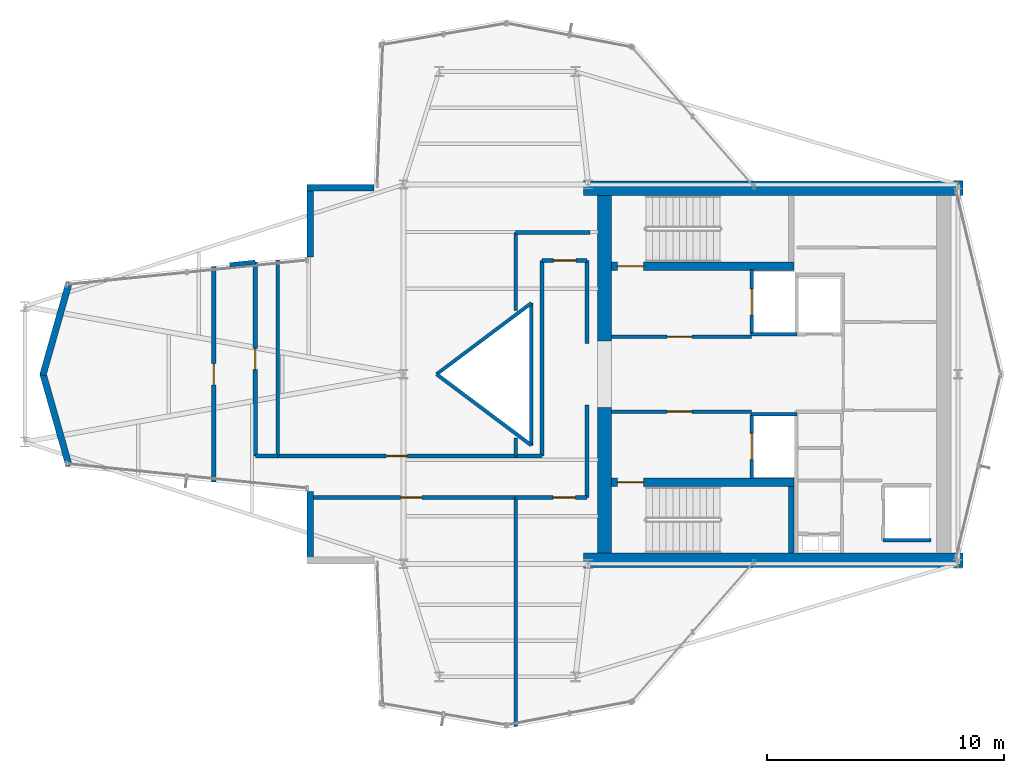
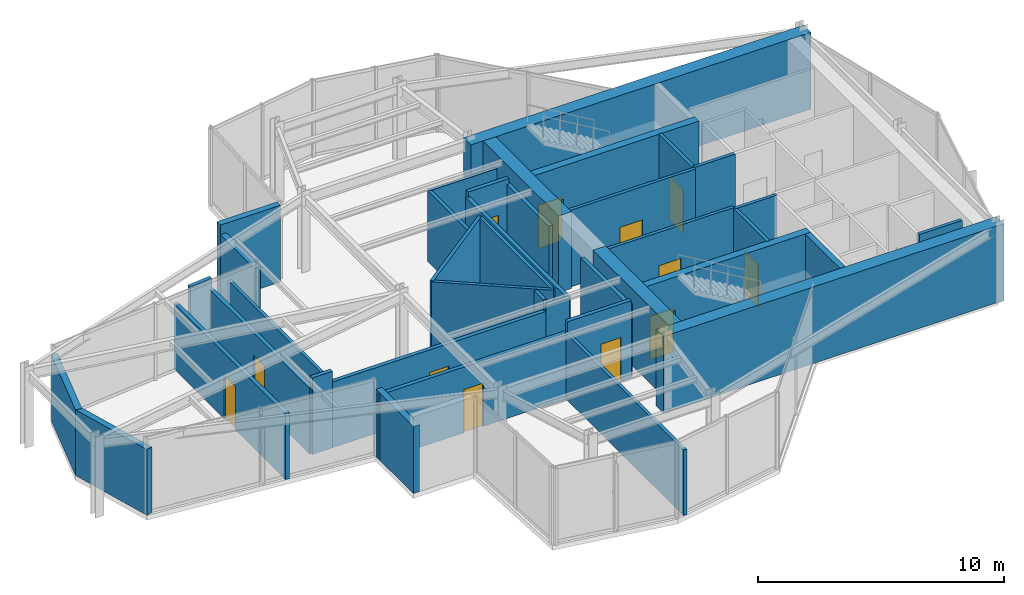
# One storey, part 12 of 14: 39 walls, 12 doors, 12 openings.
"""IFC4 building model written with IfcOpenShell, lengths in metres."""

import ifcopenshell
import ifcopenshell.guid

model = None  # the IFC model being written
_history = None  # IfcOwnerHistory: only IFC2X3 demands one
_inside = {}  # id of a spatial element -> (the spatial element, [elements in it])
_under = {}  # id of a project, library or spatial element -> (it, [spatial elements below it])
_declared = {}  # id of a project -> (the project, [libraries it declares])
_typed = {}  # id of a type object -> (the type object, [elements of that type])
_made_of = {}  # id of a material, layer set ... -> (it, [elements and type objects made of it])


def new_model(schema):
    """Start an empty IFC model of exactly this schema.

    Asked for "IFC4X3", IfcOpenShell would pick the latest addendum, in which some entities
    have other attributes; the version numbers below select the first issue.
    IFC2X3 requires an IfcOwnerHistory on every rooted entity: one is made here for all.
    """
    global model, _history
    if schema == "IFC4X3":
        model = ifcopenshell.file(schema_version=(4, 3, 0, 0))
    else:
        model = ifcopenshell.file(schema=schema)
    _inside.clear()
    _under.clear()
    _declared.clear()
    _typed.clear()
    _made_of.clear()
    _history = None
    if model.schema == "IFC2X3":
        org = make("IfcOrganization", Name="unknown")
        user = make(
            "IfcPersonAndOrganization",
            ThePerson=make("IfcPerson", FamilyName="unknown"),
            TheOrganization=org,
        )
        app = make(
            "IfcApplication",
            ApplicationDeveloper=org,
            Version="unknown",
            ApplicationFullName="unknown",
            ApplicationIdentifier="unknown",
        )
        _history = make(
            "IfcOwnerHistory",
            OwningUser=user,
            OwningApplication=app,
            ChangeAction="ADDED",
            CreationDate=0,
        )
    return model


def make(cls, **values):
    """One entity of the class cls with the attributes given. An attribute that is None is left unset."""
    return model.create_entity(
        cls, **{name: value for name, value in values.items() if value is not None}
    )


def rooted(cls, **values):
    """An entity with a GlobalId (a new one), such as an element, a storey or a relation."""
    return make(cls, GlobalId=ifcopenshell.guid.new(), OwnerHistory=_history, **values)


def si_unit(unit_type, name, prefix=None):
    """IfcSIUnit, for example si_unit("LENGTHUNIT", "METRE", prefix="MILLI")."""
    return make("IfcSIUnit", UnitType=unit_type, Prefix=prefix, Name=name)


def assignment(units):
    """IfcUnitAssignment: the units of a project."""
    return None if units is None else make("IfcUnitAssignment", Units=units)


def point(xyz):
    """IfcCartesianPoint."""
    return None if xyz is None else make("IfcCartesianPoint", Coordinates=xyz)


def direction(xyz):
    """IfcDirection."""
    return None if xyz is None else make("IfcDirection", DirectionRatios=xyz)


def frame(location, z_axis=None, x_axis=None):
    """IfcAxis2Placement3D, a coordinate frame: its origin and axes. An axis left out is left unset."""
    return make(
        "IfcAxis2Placement3D",
        Location=point(location),
        Axis=direction(z_axis),
        RefDirection=direction(x_axis),
    )


def frame_2d(location, x_axis=None):
    """IfcAxis2Placement2D, a coordinate frame in the plane: its origin and x axis."""
    return make(
        "IfcAxis2Placement2D", Location=point(location), RefDirection=direction(x_axis)
    )


def origin():
    """The frame at (0, 0, 0) with its axes left unset."""
    return frame((0.0, 0.0, 0.0))


def place(relative_to, where):
    """IfcLocalPlacement: puts the frame where relative to a parent placement (None: the world)."""
    return make(
        "IfcLocalPlacement", PlacementRelTo=relative_to, RelativePlacement=where
    )


def context(
    kind, dimensions, precision=None, world=None, true_north=None, identifier=None
):
    """IfcGeometricRepresentationContext, for example the 3D "Model" context."""
    return make(
        "IfcGeometricRepresentationContext",
        ContextIdentifier=identifier,
        ContextType=kind,
        CoordinateSpaceDimension=dimensions,
        Precision=precision,
        WorldCoordinateSystem=world,
        TrueNorth=true_north,
    )


def subcontext(parent, identifier, kind, view, scale=None):
    """IfcGeometricRepresentationSubContext, for example "Body" below "Model"."""
    return make(
        "IfcGeometricRepresentationSubContext",
        ContextIdentifier=identifier,
        ContextType=kind,
        ParentContext=parent,
        TargetScale=scale,
        TargetView=view,
    )


def project(units=None, contexts=None):
    """IfcProject with its units and contexts."""
    return rooted(
        "IfcProject",
        Name="project",
        RepresentationContexts=contexts,
        UnitsInContext=assignment(units),
    )


def spatial(cls, under=None, at=None, **own):
    """A site, building, storey or space (cls), placed at a placement, below another one or the project."""
    s = rooted(cls, ObjectPlacement=at, **own)
    if under is not None:
        _under.setdefault(under.id(), (under, []))[1].append(s)
    return s


def profile(cls, at=None, kind="AREA", **sizes):
    """A parametric profile (cls). Its sizes go by their IFC names, for example OverallWidth=200.0."""
    return make(cls, ProfileType=kind, Position=at, **sizes)


def rectangle(**sizes):
    """IfcRectangleProfileDef."""
    return profile("IfcRectangleProfileDef", **sizes)


def extrude(swept, where, along, depth):
    """IfcExtrudedAreaSolid: the profile swept, set in the frame where, extruded along a direction by depth."""
    return make(
        "IfcExtrudedAreaSolid",
        SweptArea=swept,
        Position=where,
        ExtrudedDirection=direction(along),
        Depth=depth,
    )


def shape(context_of_items, identifier, shape_type, items):
    """IfcShapeRepresentation: the items that make up one representation, for example the "Body"."""
    return make(
        "IfcShapeRepresentation",
        ContextOfItems=context_of_items,
        RepresentationIdentifier=identifier,
        RepresentationType=shape_type,
        Items=items,
    )


def material(Name=None, Category=None):
    """IfcMaterial."""
    return make("IfcMaterial", Name=Name, Category=Category)


def layer(
    of_material, thickness, ventilated=None, Name=None, Category=None, Priority=None
):
    """IfcMaterialLayer: one layer of a wall or slab, of a material (None: an air gap)."""
    return make(
        "IfcMaterialLayer",
        Material=of_material,
        LayerThickness=thickness,
        IsVentilated=ventilated,
        Name=Name,
        Category=Category,
        Priority=Priority,
    )


def layer_set(layers, Name=None):
    """IfcMaterialLayerSet."""
    return make("IfcMaterialLayerSet", MaterialLayers=layers, LayerSetName=Name)


def made_of(thing, what):
    """Note that an element or type object is made of a material, layer set ...; save() writes the relation."""
    if what is not None:
        _made_of.setdefault(what.id(), (what, []))[1].append(thing)
    return thing


def type_object(cls, material=None, **own):
    """A type object (cls), such as IfcWallType, which elements share."""
    return made_of(rooted(cls, **own), material)


def element(
    cls,
    number,
    at=None,
    inside=None,
    cuts=None,
    type_object=None,
    material=None,
    context=None,
    identifier="Body",
    shape_type=None,
    held_by="IfcProductDefinitionShape",
    body=None,
    shapes=None,
    **own,
):
    """One element of the class cls, such as IfcWall. Its Tag is "e" and its number.

    at: its placement. inside: the storey or other place that contains it. cuts: it is an
    opening in that element (IfcRelVoidsElement). A single representation is given by context,
    identifier, shape_type and body (its items); several are given by shapes. held_by: the class
    of the entity that holds the representations. save() writes the other relations.
    """
    e = rooted(cls, Tag="e%d" % number, ObjectPlacement=at, **own)
    if body is not None:
        shapes = [shape(context, identifier, shape_type, body)]
    if shapes is not None:
        e.Representation = make(held_by, Representations=shapes)
    if inside is not None:
        _inside.setdefault(inside.id(), (inside, []))[1].append(e)
    if cuts is not None:
        rooted(
            "IfcRelVoidsElement", RelatingBuildingElement=cuts, RelatedOpeningElement=e
        )
    if type_object is not None:
        _typed.setdefault(type_object.id(), (type_object, []))[1].append(e)
    return made_of(e, material)


def fill(opening, filler):
    """IfcRelFillsElement: the door or window that sits in an opening."""
    return rooted(
        "IfcRelFillsElement",
        RelatingOpeningElement=opening,
        RelatedBuildingElement=filler,
    )


def aggregate(whole, parts):
    """IfcRelAggregates: a whole, such as a stair, and the parts it consists of."""
    return rooted("IfcRelAggregates", RelatingObject=whole, RelatedObjects=parts)


def save(model, path):
    """Write the relations noted so far, then the file.

    IfcRelAggregates (storeys below a building ...), IfcRelContainedInSpatialStructure (elements
    in a storey), IfcRelDefinesByType, IfcRelAssociatesMaterial and IfcRelDeclares: one each for
    every whole, place, type object, material and project.
    """
    for whole, parts in _under.values():
        aggregate(whole, parts)
    for where, things in _inside.values():
        rooted(
            "IfcRelContainedInSpatialStructure",
            RelatedElements=things,
            RelatingStructure=where,
        )
    for kind, things in _typed.values():
        rooted("IfcRelDefinesByType", RelatedObjects=things, RelatingType=kind)
    for what, things in _made_of.values():
        rooted("IfcRelAssociatesMaterial", RelatedObjects=things, RelatingMaterial=what)
    for by, libraries in _declared.values():
        rooted("IfcRelDeclares", RelatingContext=by, RelatedDefinitions=libraries)
    model.write(path)


model = new_model("IFC4")

# Units and contexts
model_context = context("Model", 3, precision=1e-05, world=origin(), true_north=direction((0.0, 1.0)))
body_context = subcontext(model_context, "Body", "Model", "MODEL_VIEW")
ifc_project = project(units=[si_unit("LENGTHUNIT", "METRE"), si_unit("AREAUNIT", "SQUARE_METRE"), si_unit("VOLUMEUNIT", "CUBIC_METRE"), si_unit("PLANEANGLEUNIT", "RADIAN"), si_unit("MASSUNIT", "GRAM", prefix="KILO")], contexts=[model_context])

# Site, building, storey
site_placement = place(None, origin())
site = spatial("IfcSite", under=ifc_project, at=site_placement, CompositionType="ELEMENT")
building_placement = place(site_placement, origin())
building = spatial("IfcBuilding", under=site, at=building_placement, Name="Veymaron Broadcast Tower", CompositionType="ELEMENT")
storey_placement = place(building_placement, frame((0.0, 0.0, 270.89990234375)))
storey = spatial("IfcBuildingStorey", under=building, at=storey_placement, Name="L63", CompositionType="ELEMENT", Elevation=270.89990234375)

# Walls
ifc_material_1 = material(Name="Precast concrete C40/50", Category="concrete")
ifc_layer_1 = layer(ifc_material_1, 0.280029296875)
ifc_layer_set_1 = layer_set([ifc_layer_1], Name="Precast concrete C40/50")
wall_type_1 = type_object("IfcWallType", Name="WALL-EXT-280", PredefinedType="STANDARD", material=ifc_layer_set_1)
wall_1_placement = place(storey_placement, frame((29.95361328125, 31.860107421875, 0.0), z_axis=(0.0, 0.0, 1.0), x_axis=(-1.0, 0.0, 0.0)))
element("IfcWall", 1, at=wall_1_placement, inside=storey, type_object=wall_type_1, Name="L63 notched corner facade pier 9-1", PredefinedType="STANDARD", context=body_context, shape_type="SweptSolid", body=[
    extrude(rectangle(XDim=2.83203125, YDim=0.280029296875, at=frame_2d((1.416015625, 0.0))), origin(), (0.0, 0.0, 1.0), 3.81005859375),
])
wall_2_placement = place(storey_placement, frame((27.26171875, 32.0, 0.0), z_axis=(0.0, 0.0, 1.0), x_axis=(0.0, -1.0, 0.0)))
element("IfcWall", 2, at=wall_2_placement, inside=storey, type_object=wall_type_1, Name="L63 notched corner facade pier 10-1", PredefinedType="STANDARD", context=body_context, shape_type="SweptSolid", body=[
    extrude(rectangle(XDim=3.05126953125, YDim=0.280029296875, at=frame_2d((1.525634765625, 0.0))), origin(), (0.0, 0.0, 1.0), 3.339111328125),
])
for number, where, z_axis, x_axis, name in (
    (3, (17.0947265625, 27.87744140625, 0.0), (0.0, 0.0, 1.0), (-0.27248594836, -0.962159762174, 0.0), "L63 notched corner facade pier 12-1"),
    (4, (15.98583984375, 24.0380859375, 0.0), (0.0, 0.0, 1.0), (0.27248594836, -0.962159762174, 0.0), "L63 notched corner facade pier 13-1"),
):
    element("IfcWall", number, at=place(storey_placement, frame(where, z_axis=z_axis, x_axis=x_axis)), inside=storey, type_object=wall_type_1, Name=name, PredefinedType="STANDARD", context=body_context, shape_type="SweptSolid", body=[
        extrude(rectangle(XDim=4.069580078125, YDim=0.280029296875, at=frame_2d((2.03466796875, 0.0))), origin(), (0.0, 0.0, 1.0), 3.27001953125),
    ])
wall_3_placement = place(storey_placement, frame((27.26171875, 19.05126953125, 0.0), z_axis=(0.0, 0.0, 1.0), x_axis=(0.0, -1.0, 0.0)))
element("IfcWall", 5, at=wall_3_placement, inside=storey, type_object=wall_type_1, Name="L63 notched corner facade pier 15-1", PredefinedType="STANDARD", context=body_context, shape_type="SweptSolid", body=[
    extrude(rectangle(XDim=3.05126953125, YDim=0.280029296875, at=frame_2d((1.525634765625, 0.0))), origin(), (0.0, 0.0, 1.0), 3.339111328125),
])

# Wall, opening, door
ifc_material_2 = material(Name="Gypsum fireboard and steel stud framing", Category="steel")
ifc_layer_2 = layer(ifc_material_2, 0.14990234375)
ifc_layer_set_2 = layer_set([ifc_layer_2], Name="Gypsum fireboard and steel stud framing")
wall_type_2 = type_object("IfcWallType", Name="WALL-FIRE-150", PredefinedType="PARTITIONING", material=ifc_layer_set_2)
wall_4_placement = place(storey_placement, frame((39.97998046875, 25.574951171875, 0.0), z_axis=(0.0, 0.0, 1.0), x_axis=(1.0, 0.0, 0.0)))
wall_4 = element("IfcWall", 6, at=wall_4_placement, inside=storey, type_object=wall_type_2, Name="L63 partition IW-L63-FFLN-S", PredefinedType="PARTITIONING", context=body_context, shape_type="SweptSolid", body=[
    extrude(rectangle(XDim=5.89990234375, YDim=0.14990234375, at=frame_2d((2.949951171875, 0.0))), origin(), (0.0, 0.0, 1.0), 3.81005859375),
])
opening_1_placement = place(wall_4_placement, frame((2.35009765625, 0.0, 0.0)))
opening_1 = element("IfcOpeningElement", 7, at=opening_1_placement, cuts=wall_4, Name="Opening ID-FL1", PredefinedType="OPENING", context=body_context, shape_type="SweptSolid", body=[
    extrude(rectangle(XDim=1.050048828125, YDim=2.14990234375, at=frame_2d((0.52490234375, 1.074951171875))), frame((0.0, 0.0849609375, 0.0), z_axis=(0.0, -1.0, 0.0), x_axis=(1.0, 0.0, 0.0)), (0.0, 0.0, 1.0), 0.169921875),
])
ifc_material_3 = material(Name="Fire-rated painted hollow steel ASTM A653", Category="steel")
door_type_1 = type_object("IfcDoorType", Name="DOOR-FIRE-1050", OperationType="NOTDEFINED", PredefinedType="DOOR", material=ifc_material_3)
door_1_placement = place(opening_1_placement, origin())
door_1 = element("IfcDoor", 8, at=door_1_placement, inside=storey, type_object=door_type_1, Name="L63 door DR-L63-FFLN", OperationType="SINGLE_SWING_LEFT", OverallHeight=2.14990234375, OverallWidth=1.050048828125, PredefinedType="DOOR", context=body_context, shape_type="SweptSolid", body=[
    extrude(rectangle(XDim=1.050048828125, YDim=2.14990234375, at=frame_2d((0.52490234375, 1.074951171875))), frame((0.0, 0.02490234375, 0.0), z_axis=(0.0, -1.0, 0.0), x_axis=(1.0, 0.0, 0.0)), (0.0, 0.0, 1.0), 0.050048828125),
])
fill(opening_1, door_1)

wall_5_placement = place(storey_placement, frame((39.97998046875, 22.425048828125, 0.0), z_axis=(0.0, 0.0, 1.0), x_axis=(1.0, 0.0, 0.0)))
wall_5 = element("IfcWall", 9, at=wall_5_placement, inside=storey, type_object=wall_type_2, Name="L63 partition IW-L63-FFLS-N", PredefinedType="PARTITIONING", context=body_context, shape_type="SweptSolid", body=[
    extrude(rectangle(XDim=5.89990234375, YDim=0.14990234375, at=frame_2d((2.949951171875, 0.0))), origin(), (0.0, 0.0, 1.0), 3.81005859375),
])
opening_2_placement = place(wall_5_placement, frame((2.35009765625, 0.0, 0.0)))
opening_2 = element("IfcOpeningElement", 10, at=opening_2_placement, cuts=wall_5, Name="Opening ID-FL1", PredefinedType="OPENING", context=body_context, shape_type="SweptSolid", body=[
    extrude(rectangle(XDim=1.050048828125, YDim=2.14990234375, at=frame_2d((0.52490234375, 1.074951171875))), frame((0.0, 0.0849609375, 0.0), z_axis=(0.0, -1.0, 0.0), x_axis=(1.0, 0.0, 0.0)), (0.0, 0.0, 1.0), 0.169921875),
])
door_2_placement = place(opening_2_placement, frame((1.050048828125, 0.0, 0.0), z_axis=(0.0, 0.0, 1.0), x_axis=(-1.0, 0.0, 0.0)))
door_2 = element("IfcDoor", 11, at=door_2_placement, inside=storey, type_object=door_type_1, Name="L63 door DR-L63-FFLS", OperationType="SINGLE_SWING_RIGHT", OverallHeight=2.14990234375, OverallWidth=1.050048828125, PredefinedType="DOOR", context=body_context, shape_type="SweptSolid", body=[
    extrude(rectangle(XDim=1.050048828125, YDim=2.14990234375, at=frame_2d((0.52490234375, 1.074951171875))), frame((0.0, 0.02490234375, 0.0), z_axis=(0.0, -1.0, 0.0), x_axis=(1.0, 0.0, 0.0)), (0.0, 0.0, 1.0), 0.050048828125),
])
fill(opening_2, door_2)

wall_6_placement = place(storey_placement, frame((45.89501953125, 25.68994140625, 0.0), z_axis=(0.0, 0.0, 1.0), x_axis=(0.0, 1.0, 0.0)))
wall_6 = element("IfcWall", 12, at=wall_6_placement, inside=storey, type_object=wall_type_2, Name="L63 partition IW-L63-SHW-FFL-1", PredefinedType="PARTITIONING", context=body_context, shape_type="SweptSolid", body=[
    extrude(rectangle(XDim=2.719970703125, YDim=0.14990234375, at=frame_2d((1.35986328125, 0.0))), origin(), (0.0, 0.0, 1.0), 3.81005859375),
])
opening_3_placement = place(wall_6_placement, frame((0.81005859375, 0.0, 0.0)))
opening_3 = element("IfcOpeningElement", 13, at=opening_3_placement, cuts=wall_6, Name="Opening LD", PredefinedType="OPENING", context=body_context, shape_type="SweptSolid", body=[
    extrude(rectangle(XDim=1.10009765625, YDim=2.14990234375, at=frame_2d((0.550048828125, 1.074951171875))), frame((0.0, 0.0849609375, 0.0), z_axis=(0.0, -1.0, 0.0), x_axis=(1.0, 0.0, 0.0)), (0.0, 0.0, 1.0), 0.169921875),
])
ifc_material_4 = material(Name="Brushed stainless steel AISI 304", Category="steel")
door_type_2 = type_object("IfcDoorType", Name="DOOR-LIFT-1100", OperationType="DOUBLE_DOOR_SLIDING", PredefinedType="DOOR", material=ifc_material_4)
door_3_placement = place(opening_3_placement, frame((1.10009765625, 0.0, 0.0), z_axis=(0.0, 0.0, 1.0), x_axis=(-1.0, 0.0, 0.0)))
door_3 = element("IfcDoor", 14, at=door_3_placement, inside=storey, type_object=door_type_2, Name="L63 door LD-L63-FFL-1", OperationType="DOUBLE_DOOR_SLIDING", OverallHeight=2.14990234375, OverallWidth=1.10009765625, PredefinedType="DOOR", context=body_context, shape_type="SweptSolid", body=[
    extrude(rectangle(XDim=1.10009765625, YDim=2.14990234375, at=frame_2d((0.550048828125, 1.074951171875))), frame((0.0, 0.02490234375, 0.0), z_axis=(0.0, -1.0, 0.0), x_axis=(1.0, 0.0, 0.0)), (0.0, 0.0, 1.0), 0.050048828125),
])
fill(opening_3, door_3)

# Wall
wall_7_placement = place(storey_placement, frame((45.89501953125, 25.68994140625, 0.0), z_axis=(0.0, 0.0, 1.0), x_axis=(1.0, 0.0, 0.0)))
element("IfcWall", 15, at=wall_7_placement, inside=storey, type_object=wall_type_2, Name="L63 partition IW-L63-SHS-FFL-1", PredefinedType="PARTITIONING", context=body_context, shape_type="SweptSolid", body=[
    extrude(rectangle(XDim=1.9150390625, YDim=0.14990234375, at=frame_2d((0.95751953125, 0.0))), origin(), (0.0, 0.0, 1.0), 3.81005859375),
])

# Wall, opening, door
wall_8_placement = place(storey_placement, frame((45.89501953125, 19.590087890625, 0.0), z_axis=(0.0, 0.0, 1.0), x_axis=(0.0, 1.0, 0.0)))
wall_8 = element("IfcWall", 16, at=wall_8_placement, inside=storey, type_object=wall_type_2, Name="L63 partition IW-L63-SHW-FFL-2", PredefinedType="PARTITIONING", context=body_context, shape_type="SweptSolid", body=[
    extrude(rectangle(XDim=2.719970703125, YDim=0.14990234375, at=frame_2d((1.35986328125, 0.0))), origin(), (0.0, 0.0, 1.0), 3.81005859375),
])
opening_4_placement = place(wall_8_placement, frame((0.81005859375, 0.0, 0.0)))
opening_4 = element("IfcOpeningElement", 17, at=opening_4_placement, cuts=wall_8, Name="Opening LD", PredefinedType="OPENING", context=body_context, shape_type="SweptSolid", body=[
    extrude(rectangle(XDim=1.10009765625, YDim=2.14990234375, at=frame_2d((0.550048828125, 1.074951171875))), frame((0.0, 0.0849609375, 0.0), z_axis=(0.0, -1.0, 0.0), x_axis=(1.0, 0.0, 0.0)), (0.0, 0.0, 1.0), 0.169921875),
])
door_4_placement = place(opening_4_placement, frame((1.10009765625, 0.0, 0.0), z_axis=(0.0, 0.0, 1.0), x_axis=(-1.0, 0.0, 0.0)))
door_4 = element("IfcDoor", 18, at=door_4_placement, inside=storey, type_object=door_type_2, Name="L63 door LD-L63-FFL-2", OperationType="DOUBLE_DOOR_SLIDING", OverallHeight=2.14990234375, OverallWidth=1.10009765625, PredefinedType="DOOR", context=body_context, shape_type="SweptSolid", body=[
    extrude(rectangle(XDim=1.10009765625, YDim=2.14990234375, at=frame_2d((0.550048828125, 1.074951171875))), frame((0.0, 0.02490234375, 0.0), z_axis=(0.0, -1.0, 0.0), x_axis=(1.0, 0.0, 0.0)), (0.0, 0.0, 1.0), 0.050048828125),
])
fill(opening_4, door_4)

# Walls
wall_9_placement = place(storey_placement, frame((45.89501953125, 22.31005859375, 0.0), z_axis=(0.0, 0.0, 1.0), x_axis=(1.0, 0.0, 0.0)))
element("IfcWall", 19, at=wall_9_placement, inside=storey, type_object=wall_type_2, Name="L63 partition IW-L63-SHN-FFL-2", PredefinedType="PARTITIONING", context=body_context, shape_type="SweptSolid", body=[
    extrude(rectangle(XDim=1.9150390625, YDim=0.14990234375, at=frame_2d((0.95751953125, 0.0))), origin(), (0.0, 0.0, 1.0), 3.81005859375),
])
wall_10_placement = place(storey_placement, frame((51.445068359375, 16.989990234375, 0.0), z_axis=(0.0, 0.0, 1.0), x_axis=(1.0, 0.0, 0.0)))
element("IfcWall", 20, at=wall_10_placement, inside=storey, type_object=wall_type_2, Name="L63 partition IW-L63-SHS-PH1", PredefinedType="PARTITIONING", context=body_context, shape_type="SweptSolid", body=[
    extrude(rectangle(XDim=2.014892578125, YDim=0.14990234375, at=frame_2d((1.00732421875, 0.0))), origin(), (0.0, 0.0, 1.0), 3.81005859375),
])

# Wall, opening, door
ifc_material_5 = material(Name="Concrete C40/50", Category="concrete")
ifc_layer_3 = layer(ifc_material_5, 0.179931640625)
ifc_layer_set_3 = layer_set([ifc_layer_3], Name="Concrete C40/50")
wall_type_3 = type_object("IfcWallType", Name="WALL-FIRE-180", PredefinedType="SOLIDWALL", material=ifc_layer_set_3)
wall_11_placement = place(storey_placement, frame((35.93798828125, 18.800048828125, 0.0), z_axis=(0.0, 0.0, 1.0), x_axis=(1.0, 0.0, 0.0)))
wall_11 = element("IfcWall", 21, at=wall_11_placement, inside=storey, type_object=wall_type_3, Name="L63 partition IW-L63-P02", PredefinedType="SOLIDWALL", context=body_context, shape_type="SweptSolid", body=[
    extrude(rectangle(XDim=3.011962890625, YDim=0.179931640625, at=frame_2d((1.505859375, 0.0))), origin(), (0.0, 0.0, 1.0), 3.81005859375),
])
opening_5_placement = place(wall_11_placement, frame((1.571044921875, 0.0, 0.0)))
opening_5 = element("IfcOpeningElement", 22, at=opening_5_placement, cuts=wall_11, Name="Opening ID-RM1", PredefinedType="OPENING", context=body_context, shape_type="SweptSolid", body=[
    extrude(rectangle(XDim=0.949951171875, YDim=2.14990234375, at=frame_2d((0.47509765625, 1.074951171875))), frame((0.0, 0.10009765625, 0.0), z_axis=(0.0, -1.0, 0.0), x_axis=(1.0, 0.0, 0.0)), (0.0, 0.0, 1.0), 0.199951171875),
])
ifc_material_6 = material(Name="Acoustic solid-core European oak veneer timber", Category="wood")
door_type_3 = type_object("IfcDoorType", Name="DOOR-INT-950", OperationType="NOTDEFINED", PredefinedType="DOOR", material=ifc_material_6)
door_5_placement = place(opening_5_placement, frame((0.949951171875, 0.0, 0.0), z_axis=(0.0, 0.0, 1.0), x_axis=(-1.0, 0.0, 0.0)))
door_5 = element("IfcDoor", 23, at=door_5_placement, inside=storey, type_object=door_type_3, Name="L63 door DR-L63-P02", OperationType="SINGLE_SWING_LEFT", OverallHeight=2.14990234375, OverallWidth=0.949951171875, PredefinedType="DOOR", context=body_context, shape_type="SweptSolid", body=[
    extrude(rectangle(XDim=0.949951171875, YDim=2.14990234375, at=frame_2d((0.47509765625, 1.074951171875))), frame((0.0, 0.02490234375, 0.0), z_axis=(0.0, -1.0, 0.0), x_axis=(1.0, 0.0, 0.0)), (0.0, 0.0, 1.0), 0.050048828125),
])
fill(opening_5, door_5)

wall_12_placement = place(storey_placement, frame((27.12158203125, 18.800048828125, 0.0), z_axis=(0.0, 0.0, 1.0), x_axis=(1.0, 0.0, 0.0)))
wall_12 = element("IfcWall", 24, at=wall_12_placement, inside=storey, type_object=wall_type_3, Name="L63 partition IW-L63-P03", PredefinedType="SOLIDWALL", context=body_context, shape_type="SweptSolid", body=[
    extrude(rectangle(XDim=8.81640625, YDim=0.179931640625, at=frame_2d((4.408203125, 0.0))), origin(), (0.0, 0.0, 1.0), 3.27001953125),
])
opening_6_placement = place(wall_12_placement, frame((3.958251953125, 0.0, 0.0)))
opening_6 = element("IfcOpeningElement", 25, at=opening_6_placement, cuts=wall_12, Name="Opening ID-RM2", PredefinedType="OPENING", context=body_context, shape_type="SweptSolid", body=[
    extrude(rectangle(XDim=0.89990234375, YDim=2.14990234375, at=frame_2d((0.449951171875, 1.074951171875))), frame((0.0, 0.10009765625, 0.0), z_axis=(0.0, -1.0, 0.0), x_axis=(1.0, 0.0, 0.0)), (0.0, 0.0, 1.0), 0.199951171875),
])
door_type_4 = type_object("IfcDoorType", Name="DOOR-INT-900", OperationType="NOTDEFINED", PredefinedType="DOOR", material=ifc_material_6)
door_6_placement = place(opening_6_placement, frame((0.89990234375, 0.0, 0.0), z_axis=(0.0, 0.0, 1.0), x_axis=(-1.0, 0.0, 0.0)))
door_6 = element("IfcDoor", 26, at=door_6_placement, inside=storey, type_object=door_type_4, Name="L63 door DR-L63-P03", OperationType="SINGLE_SWING_RIGHT", OverallHeight=2.14990234375, OverallWidth=0.89990234375, PredefinedType="DOOR", context=body_context, shape_type="SweptSolid", body=[
    extrude(rectangle(XDim=0.89990234375, YDim=2.14990234375, at=frame_2d((0.449951171875, 1.074951171875))), frame((0.0, 0.02490234375, 0.0), z_axis=(0.0, -1.0, 0.0), x_axis=(1.0, 0.0, 0.0)), (0.0, 0.0, 1.0), 0.050048828125),
])
fill(opening_6, door_6)

wall_13_placement = place(storey_placement, frame((23.199951171875, 19.449951171875, 0.0), z_axis=(0.0, 0.0, 1.0), x_axis=(0.0, 1.0, 0.0)))
wall_13 = element("IfcWall", 27, at=wall_13_placement, inside=storey, type_object=wall_type_3, Name="L63 partition IW-L63-P04", PredefinedType="SOLIDWALL", context=body_context, shape_type="SweptSolid", body=[
    extrude(rectangle(XDim=9.10009765625, YDim=0.179931640625, at=frame_2d((4.550048828125, 0.0))), origin(), (0.0, 0.0, 1.0), 3.27001953125),
])
opening_7_placement = place(wall_13_placement, frame((4.10009765625, 0.0, 0.0)))
opening_7 = element("IfcOpeningElement", 28, at=opening_7_placement, cuts=wall_13, Name="Opening ID-RM2", PredefinedType="OPENING", context=body_context, shape_type="SweptSolid", body=[
    extrude(rectangle(XDim=0.89990234375, YDim=2.14990234375, at=frame_2d((0.449951171875, 1.074951171875))), frame((0.0, 0.10009765625, 0.0), z_axis=(0.0, -1.0, 0.0), x_axis=(1.0, 0.0, 0.0)), (0.0, 0.0, 1.0), 0.199951171875),
])
door_7_placement = place(opening_7_placement, origin())
door_7 = element("IfcDoor", 29, at=door_7_placement, inside=storey, type_object=door_type_4, Name="L63 door DR-L63-P04", OperationType="SINGLE_SWING_LEFT", OverallHeight=2.14990234375, OverallWidth=0.89990234375, PredefinedType="DOOR", context=body_context, shape_type="SweptSolid", body=[
    extrude(rectangle(XDim=0.89990234375, YDim=2.14990234375, at=frame_2d((0.449951171875, 1.074951171875))), frame((0.0, 0.02490234375, 0.0), z_axis=(0.0, -1.0, 0.0), x_axis=(1.0, 0.0, 0.0)), (0.0, 0.0, 1.0), 0.050048828125),
])
fill(opening_7, door_7)

wall_14_placement = place(storey_placement, frame((24.949951171875, 20.550048828125, 0.0), z_axis=(0.0, 0.0, 1.0), x_axis=(0.0, 1.0, 0.0)))
wall_14 = element("IfcWall", 30, at=wall_14_placement, inside=storey, type_object=wall_type_3, Name="L63 partition IW-L63-P05", PredefinedType="SOLIDWALL", context=body_context, shape_type="SweptSolid", body=[
    extrude(rectangle(XDim=8.177978515625, YDim=0.179931640625, at=frame_2d((4.0888671875, 0.0))), origin(), (0.0, 0.0, 1.0), 3.27001953125),
])
opening_8_placement = place(wall_14_placement, frame((3.638916015625, 0.0, 0.0)))
opening_8 = element("IfcOpeningElement", 31, at=opening_8_placement, cuts=wall_14, Name="Opening ID-RM2", PredefinedType="OPENING", context=body_context, shape_type="SweptSolid", body=[
    extrude(rectangle(XDim=0.89990234375, YDim=2.14990234375, at=frame_2d((0.449951171875, 1.074951171875))), frame((0.0, 0.10009765625, 0.0), z_axis=(0.0, -1.0, 0.0), x_axis=(1.0, 0.0, 0.0)), (0.0, 0.0, 1.0), 0.199951171875),
])
door_8_placement = place(opening_8_placement, frame((0.89990234375, 0.0, 0.0), z_axis=(0.0, 0.0, 1.0), x_axis=(-1.0, 0.0, 0.0)))
door_8 = element("IfcDoor", 32, at=door_8_placement, inside=storey, type_object=door_type_4, Name="L63 door DR-L63-P05", OperationType="SINGLE_SWING_RIGHT", OverallHeight=2.14990234375, OverallWidth=0.89990234375, PredefinedType="DOOR", context=body_context, shape_type="SweptSolid", body=[
    extrude(rectangle(XDim=0.89990234375, YDim=2.14990234375, at=frame_2d((0.449951171875, 1.074951171875))), frame((0.0, 0.02490234375, 0.0), z_axis=(0.0, -1.0, 0.0), x_axis=(1.0, 0.0, 0.0)), (0.0, 0.0, 1.0), 0.050048828125),
])
fill(opening_8, door_8)

wall_15_placement = place(storey_placement, frame((37.050048828125, 28.800048828125, 0.0), z_axis=(0.0, 0.0, 1.0), x_axis=(1.0, 0.0, 0.0)))
wall_15 = element("IfcWall", 33, at=wall_15_placement, inside=storey, type_object=wall_type_3, Name="L63 partition IW-L63-P10", PredefinedType="SOLIDWALL", context=body_context, shape_type="SweptSolid", body=[
    extrude(rectangle(XDim=1.89990234375, YDim=0.179931640625, at=frame_2d((0.949951171875, 0.0))), origin(), (0.0, 0.0, 1.0), 3.81005859375),
])
opening_9_placement = place(wall_15_placement, frame((0.47509765625, 0.0, 0.0)))
opening_9 = element("IfcOpeningElement", 34, at=opening_9_placement, cuts=wall_15, Name="Opening ID-RM1", PredefinedType="OPENING", context=body_context, shape_type="SweptSolid", body=[
    extrude(rectangle(XDim=0.949951171875, YDim=2.14990234375, at=frame_2d((0.47509765625, 1.074951171875))), frame((0.0, 0.10009765625, 0.0), z_axis=(0.0, -1.0, 0.0), x_axis=(1.0, 0.0, 0.0)), (0.0, 0.0, 1.0), 0.199951171875),
])
door_9_placement = place(opening_9_placement, origin())
door_9 = element("IfcDoor", 35, at=door_9_placement, inside=storey, type_object=door_type_3, Name="L63 door DR-L63-P10", OperationType="SINGLE_SWING_LEFT", OverallHeight=2.14990234375, OverallWidth=0.949951171875, PredefinedType="DOOR", context=body_context, shape_type="SweptSolid", body=[
    extrude(rectangle(XDim=0.949951171875, YDim=2.14990234375, at=frame_2d((0.47509765625, 1.074951171875))), frame((0.0, 0.02490234375, 0.0), z_axis=(0.0, -1.0, 0.0), x_axis=(1.0, 0.0, 0.0)), (0.0, 0.0, 1.0), 0.050048828125),
])
fill(opening_9, door_9)

wall_16_placement = place(storey_placement, frame((25.89501953125, 20.550048828125, 0.0), z_axis=(0.0, 0.0, 1.0), x_axis=(1.0, 0.0, 0.0)))
wall_16 = element("IfcWall", 36, at=wall_16_placement, inside=storey, type_object=wall_type_3, Name="L63 partition IW-L63-P12", PredefinedType="SOLIDWALL", context=body_context, shape_type="SweptSolid", body=[
    extrude(rectangle(XDim=10.04296875, YDim=0.179931640625, at=frame_2d((5.021484375, 0.0))), origin(), (0.0, 0.0, 1.0), 3.27001953125),
])
opening_10_placement = place(wall_16_placement, frame((4.571533203125, 0.0, 0.0)))
opening_10 = element("IfcOpeningElement", 37, at=opening_10_placement, cuts=wall_16, Name="Opening ID-RM2", PredefinedType="OPENING", context=body_context, shape_type="SweptSolid", body=[
    extrude(rectangle(XDim=0.89990234375, YDim=2.14990234375, at=frame_2d((0.449951171875, 1.074951171875))), frame((0.0, 0.10009765625, 0.0), z_axis=(0.0, -1.0, 0.0), x_axis=(1.0, 0.0, 0.0)), (0.0, 0.0, 1.0), 0.199951171875),
])
door_10_placement = place(opening_10_placement, origin())
door_10 = element("IfcDoor", 38, at=door_10_placement, inside=storey, type_object=door_type_4, Name="L63 door DR-L63-P12", OperationType="SINGLE_SWING_LEFT", OverallHeight=2.14990234375, OverallWidth=0.89990234375, PredefinedType="DOOR", context=body_context, shape_type="SweptSolid", body=[
    extrude(rectangle(XDim=0.89990234375, YDim=2.14990234375, at=frame_2d((0.449951171875, 1.074951171875))), frame((0.0, 0.02490234375, 0.0), z_axis=(0.0, -1.0, 0.0), x_axis=(1.0, 0.0, 0.0)), (0.0, 0.0, 1.0), 0.050048828125),
])
fill(opening_10, door_10)

# Walls
wall_17_placement = place(storey_placement, frame((38.949951171875, 18.800048828125, 0.0), z_axis=(0.0, 0.0, 1.0), x_axis=(0.0, 1.0, 0.0)))
element("IfcWall", 39, at=wall_17_placement, inside=storey, type_object=wall_type_3, Name="L63 partition IW-L63-P01", PredefinedType="SOLIDWALL", context=body_context, shape_type="SweptSolid", body=[
    extrude(rectangle(XDim=3.89990234375, YDim=0.179931640625, at=frame_2d((1.949951171875, 0.0))), origin(), (0.0, 0.0, 1.0), 3.5400390625),
])
wall_18_placement = place(storey_placement, frame((23.872314453125, 28.618408203125, 0.0), z_axis=(0.0, 0.0, 1.0), x_axis=(0.994866145346, 0.101199569384, 0.0)))
element("IfcWall", 40, at=wall_18_placement, inside=storey, type_object=wall_type_3, Name="L63 partition IW-L63-P06", PredefinedType="SOLIDWALL", context=body_context, shape_type="SweptSolid", body=[
    extrude(rectangle(XDim=1.083251953125, YDim=0.179931640625, at=frame_2d((0.54150390625, 0.0))), origin(), (0.0, 0.0, 1.0), 3.81005859375),
])
wall_19_placement = place(storey_placement, frame((24.949951171875, 20.550048828125, 0.0), z_axis=(0.0, 0.0, 1.0), x_axis=(1.0, 0.0, 0.0)))
element("IfcWall", 41, at=wall_19_placement, inside=storey, type_object=wall_type_3, Name="L63 partition IW-L63-P07", PredefinedType="SOLIDWALL", context=body_context, shape_type="SweptSolid", body=[
    extrude(rectangle(XDim=0.945068359375, YDim=0.179931640625, at=frame_2d((0.47265625, 0.0))), origin(), (0.0, 0.0, 1.0), 3.81005859375),
])
wall_20_placement = place(storey_placement, frame((37.050048828125, 20.550048828125, 0.0), z_axis=(0.0, 0.0, 1.0), x_axis=(0.0, 1.0, 0.0)))
element("IfcWall", 42, at=wall_20_placement, inside=storey, type_object=wall_type_3, Name="L63 partition IW-L63-P08", PredefinedType="SOLIDWALL", context=body_context, shape_type="SweptSolid", body=[
    extrude(rectangle(XDim=8.25, YDim=0.179931640625, at=frame_2d((4.125, 0.0))), origin(), (0.0, 0.0, 1.0), 3.5400390625),
])
wall_21_placement = place(storey_placement, frame((38.949951171875, 25.300048828125, 0.0), z_axis=(0.0, 0.0, 1.0), x_axis=(0.0, 1.0, 0.0)))
element("IfcWall", 43, at=wall_21_placement, inside=storey, type_object=wall_type_3, Name="L63 partition IW-L63-P09", PredefinedType="SOLIDWALL", context=body_context, shape_type="SweptSolid", body=[
    extrude(rectangle(XDim=3.5, YDim=0.179931640625, at=frame_2d((1.75, 0.0))), origin(), (0.0, 0.0, 1.0), 3.5400390625),
])
wall_22_placement = place(storey_placement, frame((35.93798828125, 20.550048828125, 0.0), z_axis=(0.0, 0.0, 1.0), x_axis=(1.0, 0.0, 0.0)))
element("IfcWall", 44, at=wall_22_placement, inside=storey, type_object=wall_type_3, Name="L63 partition IW-L63-P11", PredefinedType="SOLIDWALL", context=body_context, shape_type="SweptSolid", body=[
    extrude(rectangle(XDim=1.112060546875, YDim=0.179931640625, at=frame_2d((0.55615234375, 0.0))), origin(), (0.0, 0.0, 1.0), 3.5400390625),
])
ifc_material_7 = material(Name="Fire-rated laminated glass in aluminium frame", Category="aluminium")
ifc_layer_4 = layer(ifc_material_7, 0.14990234375)
ifc_layer_set_4 = layer_set([ifc_layer_4], Name="Fire-rated laminated glass in aluminium frame")
wall_type_4 = type_object("IfcWallType", Name="WALL-GLZ-150", PredefinedType="MOVABLE", material=ifc_layer_set_4)
wall_23_placement = place(storey_placement, frame((35.93798828125, 9.127685546875, 0.0), z_axis=(0.0, 0.0, 1.0), x_axis=(0.0, 1.0, 0.0)))
element("IfcWall", 45, at=wall_23_placement, inside=storey, type_object=wall_type_4, Name="L63 partition IW-L63-P13", PredefinedType="MOVABLE", context=body_context, shape_type="SweptSolid", body=[
    extrude(rectangle(XDim=9.67236328125, YDim=0.14990234375, at=frame_2d((4.836181640625, 0.0))), origin(), (0.0, 0.0, 1.0), 3.27001953125),
])
wall_24_placement = place(storey_placement, frame((25.89501953125, 20.550048828125, 0.0), z_axis=(0.0, 0.0, 1.0), x_axis=(0.0, 1.0, 0.0)))
element("IfcWall", 46, at=wall_24_placement, inside=storey, type_object=wall_type_4, Name="L63 partition IW-L63-P14", PredefinedType="MOVABLE", context=body_context, shape_type="SweptSolid", body=[
    extrude(rectangle(XDim=8.274169921875, YDim=0.14990234375, at=frame_2d((4.13720703125, 0.0))), origin(), (0.0, 0.0, 1.0), 3.27001953125),
])
wall_25_placement = place(storey_placement, frame((35.93798828125, 26.69091796875, 0.0), z_axis=(0.0, 0.0, 1.0), x_axis=(0.0, 1.0, 0.0)))
element("IfcWall", 47, at=wall_25_placement, inside=storey, type_object=wall_type_4, Name="L63 partition IW-L63-P15", PredefinedType="MOVABLE", context=body_context, shape_type="SweptSolid", body=[
    extrude(rectangle(XDim=3.287109375, YDim=0.14990234375, at=frame_2d((1.6435546875, 0.0))), origin(), (0.0, 0.0, 1.0), 3.5400390625),
])
wall_26_placement = place(storey_placement, frame((35.93798828125, 29.97802734375, 0.0), z_axis=(0.0, 0.0, 1.0), x_axis=(1.0, 0.0, 0.0)))
element("IfcWall", 48, at=wall_26_placement, inside=storey, type_object=wall_type_4, Name="L63 partition IW-L63-P16", PredefinedType="MOVABLE", context=body_context, shape_type="SweptSolid", body=[
    extrude(rectangle(XDim=3.14208984375, YDim=0.14990234375, at=frame_2d((1.571044921875, 0.0))), origin(), (0.0, 0.0, 1.0), 3.5400390625),
])
wall_27_placement = place(storey_placement, frame((35.93798828125, 20.550048828125, 0.0), z_axis=(0.0, 0.0, 1.0), x_axis=(0.0, 1.0, 0.0)))
element("IfcWall", 49, at=wall_27_placement, inside=storey, type_object=wall_type_4, Name="L63 partition IW-L63-P17", PredefinedType="MOVABLE", context=body_context, shape_type="SweptSolid", body=[
    extrude(rectangle(XDim=0.759033203125, YDim=0.14990234375, at=frame_2d((0.37939453125, 0.0))), origin(), (0.0, 0.0, 1.0), 3.81005859375),
])
wall_28_placement = place(storey_placement, frame((32.60009765625, 24.0, 0.0), z_axis=(0.0, 0.0, 1.0), x_axis=(0.8, -0.6, 0.0)))
element("IfcWall", 50, at=wall_28_placement, inside=storey, type_object=wall_type_4, Name="L63 partition IW-L63-ATR1", PredefinedType="MOVABLE", context=body_context, shape_type="SweptSolid", body=[
    extrude(rectangle(XDim=5.0, YDim=0.14990234375, at=frame_2d((2.5, 0.0))), origin(), (0.0, 0.0, 1.0), 3.81005859375),
])
wall_29_placement = place(storey_placement, frame((36.60009765625, 21.0, 0.0), z_axis=(0.0, 0.0, 1.0), x_axis=(0.0, 1.0, 0.0)))
element("IfcWall", 51, at=wall_29_placement, inside=storey, type_object=wall_type_4, Name="L63 partition IW-L63-ATR2", PredefinedType="MOVABLE", context=body_context, shape_type="SweptSolid", body=[
    extrude(rectangle(XDim=6.0, YDim=0.14990234375, at=frame_2d((3.0, 0.0))), origin(), (0.0, 0.0, 1.0), 3.81005859375),
])
wall_30_placement = place(storey_placement, frame((36.60009765625, 27.0, 0.0), z_axis=(0.0, 0.0, 1.0), x_axis=(-0.8, -0.6, 0.0)))
element("IfcWall", 52, at=wall_30_placement, inside=storey, type_object=wall_type_4, Name="L63 partition IW-L63-ATR3", PredefinedType="MOVABLE", context=body_context, shape_type="SweptSolid", body=[
    extrude(rectangle(XDim=5.0, YDim=0.14990234375, at=frame_2d((2.5, 0.0))), origin(), (0.0, 0.0, 1.0), 3.81005859375),
])
ifc_material_8 = material(Name="Concrete C50/60", Category="concrete")
ifc_layer_5 = layer(ifc_material_8, 0.25)
ifc_layer_set_5 = layer_set([ifc_layer_5], Name="Concrete C50/60")
wall_type_5 = type_object("IfcWallType", Name="WALL-SHEAR-250", PredefinedType="SHEAR", material=ifc_layer_set_5)
wall_31_placement = place(storey_placement, frame((47.56494140625, 16.449951171875, 0.0), z_axis=(0.0, 0.0, 1.0), x_axis=(0.0, 1.0, 0.0)))
element("IfcWall", 53, at=wall_31_placement, inside=storey, type_object=wall_type_5, Name="L63 Core Wall south stair east shear", PredefinedType="SHEAR", context=body_context, shape_type="SweptSolid", body=[
    extrude(rectangle(XDim=2.820068359375, YDim=0.25, at=frame_2d((1.41015625, 0.0))), origin(), (0.0, 0.0, 1.0), 3.81005859375),
])

# Wall, opening, door
ifc_layer_6 = layer(ifc_material_8, 0.35009765625)
ifc_layer_set_6 = layer_set([ifc_layer_6], Name="Concrete C50/60")
wall_type_6 = type_object("IfcWallType", Name="WALL-SHEAR-350", PredefinedType="SHEAR", material=ifc_layer_set_6)
wall_32_placement = place(storey_placement, frame((39.97998046875, 28.554931640625, 0.0), z_axis=(0.0, 0.0, 1.0), x_axis=(1.0, 0.0, 0.0)))
wall_32 = element("IfcWall", 54, at=wall_32_placement, inside=storey, type_object=wall_type_6, Name="L63 Core Wall north stair spine", PredefinedType="SHEAR", context=body_context, shape_type="SweptSolid", body=[
    extrude(rectangle(XDim=7.7099609375, YDim=0.35009765625, at=frame_2d((3.85498046875, 0.0))), origin(), (0.0, 0.0, 1.0), 3.81005859375),
])
opening_11_placement = place(wall_32_placement, frame((0.25, 0.0, 0.0)))
opening_11 = element("IfcOpeningElement", 55, at=opening_11_placement, cuts=wall_32, Name="Opening ID-ST1", PredefinedType="OPENING", context=body_context, shape_type="SweptSolid", body=[
    extrude(rectangle(XDim=1.10009765625, YDim=2.14990234375, at=frame_2d((0.550048828125, 1.074951171875))), frame((0.0, 0.18505859375, 0.0), z_axis=(0.0, -1.0, 0.0), x_axis=(1.0, 0.0, 0.0)), (0.0, 0.0, 1.0), 0.3701171875),
])
door_type_5 = type_object("IfcDoorType", Name="DOOR-STAIR-1100", OperationType="NOTDEFINED", PredefinedType="DOOR", material=ifc_material_3)
door_11_placement = place(opening_11_placement, origin())
door_11 = element("IfcDoor", 56, at=door_11_placement, inside=storey, type_object=door_type_5, Name="L63 exit stair ST1 fire door", OperationType="SINGLE_SWING_RIGHT", OverallHeight=2.14990234375, OverallWidth=1.10009765625, PredefinedType="DOOR", context=body_context, shape_type="SweptSolid", body=[
    extrude(rectangle(XDim=1.10009765625, YDim=2.14990234375, at=frame_2d((0.550048828125, 1.074951171875))), frame((0.0, 0.02490234375, 0.0), z_axis=(0.0, -1.0, 0.0), x_axis=(1.0, 0.0, 0.0)), (0.0, 0.0, 1.0), 0.050048828125),
])
fill(opening_11, door_11)

wall_33_placement = place(storey_placement, frame((39.97998046875, 19.445068359375, 0.0), z_axis=(0.0, 0.0, 1.0), x_axis=(1.0, 0.0, 0.0)))
wall_33 = element("IfcWall", 57, at=wall_33_placement, inside=storey, type_object=wall_type_6, Name="L63 Core Wall south stair spine", PredefinedType="SHEAR", context=body_context, shape_type="SweptSolid", body=[
    extrude(rectangle(XDim=7.7099609375, YDim=0.35009765625, at=frame_2d((3.85498046875, 0.0))), origin(), (0.0, 0.0, 1.0), 3.81005859375),
])
opening_12_placement = place(wall_33_placement, frame((0.25, 0.0, 0.0)))
opening_12 = element("IfcOpeningElement", 58, at=opening_12_placement, cuts=wall_33, Name="Opening ID-ST1", PredefinedType="OPENING", context=body_context, shape_type="SweptSolid", body=[
    extrude(rectangle(XDim=1.10009765625, YDim=2.14990234375, at=frame_2d((0.550048828125, 1.074951171875))), frame((0.0, 0.18505859375, 0.0), z_axis=(0.0, -1.0, 0.0), x_axis=(1.0, 0.0, 0.0)), (0.0, 0.0, 1.0), 0.3701171875),
])
door_12_placement = place(opening_12_placement, frame((1.10009765625, 0.0, 0.0), z_axis=(0.0, 0.0, 1.0), x_axis=(-1.0, 0.0, 0.0)))
door_12 = element("IfcDoor", 59, at=door_12_placement, inside=storey, type_object=door_type_5, Name="L63 exit stair ST2 fire door", OperationType="SINGLE_SWING_LEFT", OverallHeight=2.14990234375, OverallWidth=1.10009765625, PredefinedType="DOOR", context=body_context, shape_type="SweptSolid", body=[
    extrude(rectangle(XDim=1.10009765625, YDim=2.14990234375, at=frame_2d((0.550048828125, 1.074951171875))), frame((0.0, 0.02490234375, 0.0), z_axis=(0.0, -1.0, 0.0), x_axis=(1.0, 0.0, 0.0)), (0.0, 0.0, 1.0), 0.050048828125),
])
fill(opening_12, door_12)

# Walls
ifc_layer_7 = layer(ifc_material_8, 0.60009765625)
ifc_layer_set_7 = layer_set([ifc_layer_7], Name="Concrete C50/60")
wall_type_7 = type_object("IfcWallType", Name="WALL-SHEAR-600", PredefinedType="SHEAR", material=ifc_layer_set_7)
for number, where, z_axis, x_axis, name in (
    (60, (38.800048828125, 31.85009765625, 0.0), (0.0, 0.0, 1.0), (1.0, 0.0, 0.0), "L63 Core Wall north shear"),
    (61, (38.800048828125, 16.14990234375, 0.0), (0.0, 0.0, 1.0), (1.0, 0.0, 0.0), "L63 Core Wall south shear"),
):
    element("IfcWall", number, at=place(storey_placement, frame(where, z_axis=z_axis, x_axis=x_axis)), inside=storey, type_object=wall_type_7, Name=name, PredefinedType="SHEAR", context=body_context, shape_type="SweptSolid", body=[
        extrude(rectangle(XDim=16.0, YDim=0.60009765625, at=frame_2d((8.0, 0.0))), origin(), (0.0, 0.0, 1.0), 3.81005859375),
    ])
for number, where, z_axis, x_axis, name in (
    (62, (39.679931640625, 16.449951171875, 0.0), (0.0, 0.0, 1.0), (0.0, 1.0, 0.0), "L63 Core Wall west-south shear"),
    (63, (39.679931640625, 25.39990234375, 0.0), (0.0, 0.0, 1.0), (0.0, 1.0, 0.0), "L63 Core Wall west-north shear"),
):
    element("IfcWall", number, at=place(storey_placement, frame(where, z_axis=z_axis, x_axis=x_axis)), inside=storey, type_object=wall_type_7, Name=name, PredefinedType="SHEAR", context=body_context, shape_type="SweptSolid", body=[
        extrude(rectangle(XDim=6.150146484375, YDim=0.60009765625, at=frame_2d((3.0751953125, 0.0))), origin(), (0.0, 0.0, 1.0), 3.81005859375),
    ])

save(model, "model.ifc")
